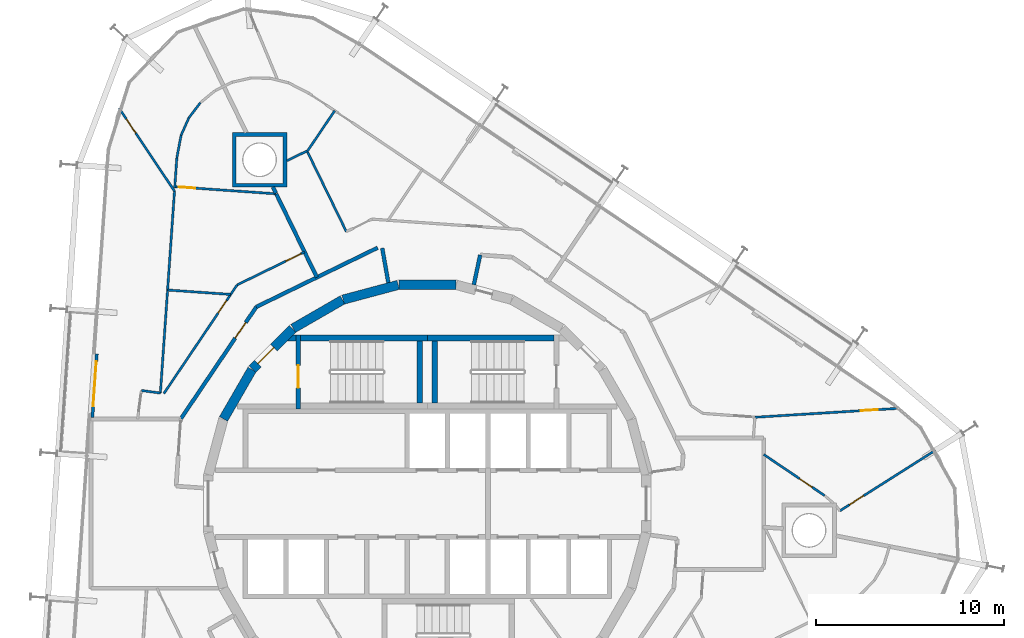
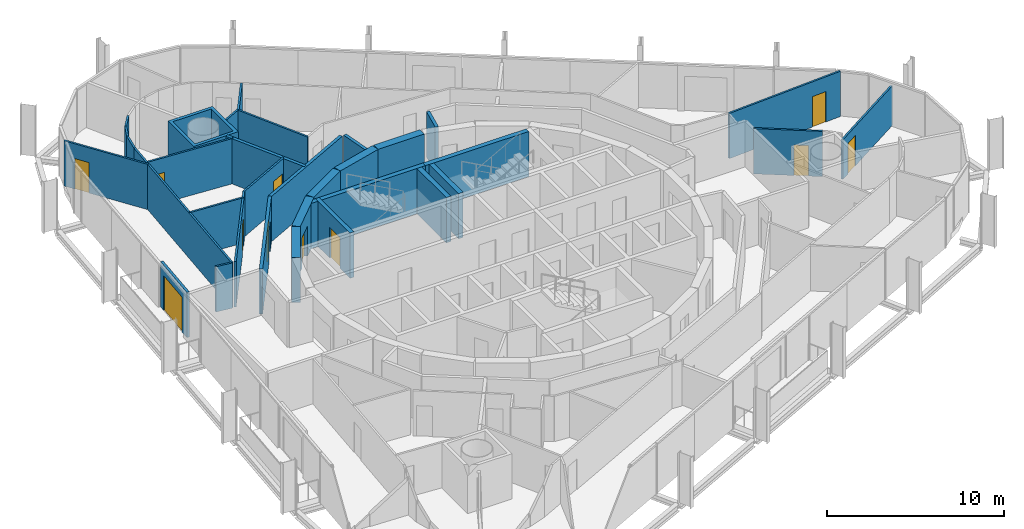
# One storey, part 15 of 18: 36 walls, 11 doors, 11 openings.
"""IFC4 building model written with IfcOpenShell, lengths in metres."""

from ifc_helpers import new_model, si_unit, direction, frame, frame_2d, origin, place, context, subcontext, project, spatial, polyline, rectangle, outline, extrude, material, layer, layer_set, type_object, element, fill, save


model = new_model("IFC4")

# Units and contexts
model_context = context("Model", 3, precision=1e-05, world=origin(), true_north=direction((0.0, 1.0)))
body_context = subcontext(model_context, "Body", "Model", "MODEL_VIEW")
ifc_project = project(units=[si_unit("LENGTHUNIT", "METRE"), si_unit("AREAUNIT", "SQUARE_METRE"), si_unit("VOLUMEUNIT", "CUBIC_METRE"), si_unit("PLANEANGLEUNIT", "RADIAN"), si_unit("MASSUNIT", "GRAM", prefix="KILO")], contexts=[model_context])

# Site, building, storey
site_placement = place(None, origin())
site = spatial("IfcSite", under=ifc_project, at=site_placement, CompositionType="ELEMENT")
building_placement = place(site_placement, origin())
building = spatial("IfcBuilding", under=site, at=building_placement, Name="Spindle Arch Residences", CompositionType="ELEMENT")
storey_placement = place(building_placement, frame((0.0, 0.0, 198.89990234375)))
storey = spatial("IfcBuildingStorey", under=building, at=storey_placement, Name="L50", CompositionType="ELEMENT", Elevation=198.89990234375)

# Walls
ifc_material_1 = material(Name="Concrete C50/60", Category="concrete")
ifc_layer_1 = layer(ifc_material_1, 0.5)
ifc_layer_set_1 = layer_set([ifc_layer_1], Name="Core outline wall 500")
wall_type_1 = type_object("IfcWallType", Name="Core outline wall 500", PredefinedType="SHEAR", material=ifc_layer_set_1)
for number, where, z_axis, x_axis, name in (
    (1, (1.516357421875, 11.647216796875, 0.0), (0.0, 0.0, 1.0), (-1.0, 0.0, 0.0), "Core outline wall 12"),
    (2, (-1.5498046875, 11.642822265625, 0.0), (0.0, 0.0, 1.0), (-0.965948410781, -0.258734743916, 0.0), "Core outline wall 13"),
    (3, (-4.510498046875, 10.84521484375, 0.0), (0.0, 0.0, 1.0), (-0.865975092491, -0.500087131594, 0.0), "Core outline wall 14"),
):
    element("IfcWall", number, at=place(storey_placement, frame(where, z_axis=z_axis, x_axis=x_axis)), inside=storey, type_object=wall_type_1, Name=name, PredefinedType="SHEAR", context=body_context, shape_type="SweptSolid", body=[
        extrude(rectangle(XDim=3.03271484375, YDim=0.5, at=frame_2d((1.516357421875, 0.0))), origin(), (0.0, 0.0, 1.0), 3.1201171875),
    ])

# Wall, opening, door
wall_1_placement = place(storey_placement, frame((-7.163818359375, 9.30810546875, 0.0), z_axis=(0.0, 0.0, 1.0), x_axis=(-0.707106781187, -0.707106781187, 0.0)))
wall_1 = element("IfcWall", 4, at=wall_1_placement, inside=storey, type_object=wall_type_1, Name="Core outline wall 15", PredefinedType="SHEAR", context=body_context, shape_type="SweptSolid", body=[
    extrude(rectangle(XDim=3.032470703125, YDim=0.5, at=frame_2d((1.51611328125, 0.0))), origin(), (0.0, 0.0, 1.0), 3.1201171875),
])
opening_1_placement = place(wall_1_placement, frame((1.416259765625, 0.0, 0.0)))
opening_1 = element("IfcOpeningElement", 5, at=opening_1_placement, cuts=wall_1, Name="Opening R5B1-AD02", PredefinedType="OPENING", context=body_context, shape_type="SweptSolid", body=[
    extrude(rectangle(XDim=1.199951171875, YDim=2.10009765625, at=frame_2d((0.60009765625, 1.050048828125))), frame((0.0, 0.260009765625, 0.0), z_axis=(0.0, -1.0, 0.0), x_axis=(1.0, 0.0, 0.0)), (0.0, 0.0, 1.0), 0.52001953125),
])
ifc_material_2 = material(Name="Steel, fire-resisting door", Category="steel")
door_type_1 = type_object("IfcDoorType", Name="Stair airlock door 1200x2100", OperationType="SINGLE_SWING_LEFT", PredefinedType="DOOR", material=ifc_material_2)
door_1_placement = place(opening_1_placement, origin())
door_1 = element("IfcDoor", 6, at=door_1_placement, inside=storey, type_object=door_type_1, Name="Stair airlock door R5B1-AD02", OperationType="SINGLE_SWING_RIGHT", OverallHeight=2.10009765625, OverallWidth=1.199951171875, PredefinedType="DOOR", context=body_context, shape_type="SweptSolid", body=[
    extrude(rectangle(XDim=1.199951171875, YDim=2.10009765625, at=frame_2d((0.60009765625, 1.050048828125))), frame((0.0, 0.02490234375, 0.0), z_axis=(0.0, -1.0, 0.0), x_axis=(1.0, 0.0, 0.0)), (0.0, 0.0, 1.0), 0.050048828125),
])
fill(opening_1, door_1)

# Walls
wall_2_placement = place(storey_placement, frame((-9.32861328125, 7.13671875, 0.0), z_axis=(0.0, 0.0, 1.0), x_axis=(-0.500087131594, -0.865975092491, 0.0)))
element("IfcWall", 7, at=wall_2_placement, inside=storey, type_object=wall_type_1, Name="Core outline wall 16", PredefinedType="SHEAR", context=body_context, shape_type="SweptSolid", body=[
    extrude(rectangle(XDim=3.03271484375, YDim=0.5, at=frame_2d((1.516357421875, 0.0))), origin(), (0.0, 0.0, 1.0), 3.1201171875),
])
ifc_material_3 = material(Name="Calcium silicate block, plastered")
ifc_layer_2 = layer(ifc_material_3, 0.199951171875)
ifc_layer_set_2 = layer_set([ifc_layer_2], Name="Corridor wall 200")
wall_type_2 = type_object("IfcWallType", Name="Corridor wall 200", PredefinedType="STANDARD", material=ifc_layer_set_2)
wall_3_placement = place(storey_placement, frame((2.8134765625, 13.236083984375, 0.0), z_axis=(0.0, 0.0, 1.0), x_axis=(-0.207911086063, -0.978147729278, 0.0)))
element("IfcWall", 8, at=wall_3_placement, inside=storey, type_object=wall_type_2, Name="Corridor wall R5B1-W007", PredefinedType="STANDARD", context=body_context, shape_type="SweptSolid", body=[
    extrude(rectangle(XDim=1.6181640625, YDim=0.199951171875, at=frame_2d((0.80908203125, 0.0))), origin(), (0.0, 0.0, 1.0), 3.1201171875),
])
wall_4_placement = place(storey_placement, frame((-2.07373046875, 11.76123046875, 0.0), z_axis=(0.0, 0.0, 1.0), x_axis=(-0.173740587112, 0.984791454263, 0.0)))
element("IfcWall", 9, at=wall_4_placement, inside=storey, type_object=wall_type_2, Name="Corridor wall R5B1-W010", PredefinedType="STANDARD", context=body_context, shape_type="SweptSolid", body=[
    extrude(rectangle(XDim=1.867431640625, YDim=0.199951171875, at=frame_2d((0.93359375, 0.0))), origin(), (0.0, 0.0, 1.0), 3.1201171875),
])
wall_5_placement = place(storey_placement, frame((-2.64697265625, 13.617919921875, 0.0), z_axis=(0.0, 0.0, 1.0), x_axis=(-0.898796543751, -0.438366026218, 0.0)))
element("IfcWall", 10, at=wall_5_placement, inside=storey, type_object=wall_type_2, Name="Corridor wall R5B1-W011", PredefinedType="STANDARD", context=body_context, shape_type="SweptSolid", body=[
    extrude(rectangle(XDim=7.18115234375, YDim=0.199951171875, at=frame_2d((3.590576171875, 0.0))), origin(), (0.0, 0.0, 1.0), 3.1201171875),
])

# Wall, opening, door
wall_6_placement = place(storey_placement, frame((-9.101318359375, 10.469970703125, 0.0), z_axis=(0.0, 0.0, 1.0), x_axis=(-0.559195469534, -0.829035841718, 0.0)))
wall_6 = element("IfcWall", 11, at=wall_6_placement, inside=storey, type_object=wall_type_2, Name="Corridor wall R5B1-W012", PredefinedType="STANDARD", context=body_context, shape_type="SweptSolid", body=[
    extrude(rectangle(XDim=7.18115234375, YDim=0.199951171875, at=frame_2d((3.590576171875, 0.0))), origin(), (0.0, 0.0, 1.0), 3.1201171875),
])
opening_2_placement = place(wall_6_placement, frame((1.0, 0.0, 0.0)))
opening_2 = element("IfcOpeningElement", 12, at=opening_2_placement, cuts=wall_6, Name="Opening R5B1-FD03", PredefinedType="OPENING", context=body_context, shape_type="SweptSolid", body=[
    extrude(rectangle(XDim=1.0, YDim=2.10009765625, at=frame_2d((0.5, 1.050048828125))), frame((0.0, 0.10986328125, 0.0), z_axis=(0.0, -1.0, 0.0), x_axis=(1.0, 0.0, 0.0)), (0.0, 0.0, 1.0), 0.219970703125),
])
ifc_material_4 = material(Name="Timber, fire-resisting door set", Category="wood")
door_type_2 = type_object("IfcDoorType", Name="Flat entrance door 1000x2100", OperationType="NOTDEFINED", PredefinedType="DOOR", material=ifc_material_4)
door_2_placement = place(opening_2_placement, origin())
door_2 = element("IfcDoor", 13, at=door_2_placement, inside=storey, type_object=door_type_2, Name="Flat entrance door R5B1-FD03", OperationType="SINGLE_SWING_LEFT", OverallHeight=2.10009765625, OverallWidth=1.0, PredefinedType="DOOR", context=body_context, shape_type="SweptSolid", body=[
    extrude(rectangle(XDim=1.0, YDim=2.10009765625, at=frame_2d((0.5, 1.050048828125))), frame((0.0, 0.02490234375, 0.0), z_axis=(0.0, -1.0, 0.0), x_axis=(1.0, 0.0, 0.0)), (0.0, 0.0, 1.0), 0.050048828125),
])
fill(opening_2, door_2)

ifc_material_5 = material(Name="Plasterboard on steel studs", Category="steel")
ifc_layer_3 = layer(ifc_material_5, 0.1201171875)
ifc_layer_set_3 = layer_set([ifc_layer_3], Name="Flat partition 120")
wall_type_3 = type_object("IfcWallType", Name="Flat partition 120", PredefinedType="PARTITIONING", material=ifc_layer_set_3)
wall_7_placement = place(storey_placement, frame((21.140625, 0.43310546875, 0.0), z_axis=(0.0, 0.0, 1.0), x_axis=(-0.829049908454, 0.559174614313, 0.0)))
wall_7 = element("IfcWall", 14, at=wall_7_placement, inside=storey, type_object=wall_type_3, Name="Flat partition R5B1-W044", PredefinedType="PARTITIONING", context=body_context, shape_type="SweptSolid", body=[
    extrude(rectangle(XDim=3.908935546875, YDim=0.1201171875, at=frame_2d((1.95458984375, 0.0))), origin(), (0.0, 0.0, 1.0), 3.1201171875),
])
opening_3_placement = place(wall_7_placement, frame((0.800048828125, 0.0, 0.0)))
opening_3 = element("IfcOpeningElement", 15, at=opening_3_placement, cuts=wall_7, Name="Opening R5B1-BD01", PredefinedType="OPENING", context=body_context, shape_type="SweptSolid", body=[
    extrude(rectangle(XDim=0.800048828125, YDim=2.10009765625, at=frame_2d((0.39990234375, 1.050048828125))), frame((0.0, 0.070068359375, 0.0), z_axis=(0.0, -1.0, 0.0), x_axis=(1.0, 0.0, 0.0)), (0.0, 0.0, 1.0), 0.14013671875),
])
ifc_material_6 = material(Name="Timber door set", Category="wood")
door_type_3 = type_object("IfcDoorType", Name="Bathroom door 800x2100", OperationType="NOTDEFINED", PredefinedType="DOOR", material=ifc_material_6)
door_3_placement = place(opening_3_placement, origin())
door_3 = element("IfcDoor", 16, at=door_3_placement, inside=storey, type_object=door_type_3, Name="Bathroom door R5B1-BD01", OperationType="SINGLE_SWING_RIGHT", OverallHeight=2.10009765625, OverallWidth=0.800048828125, PredefinedType="DOOR", context=body_context, shape_type="SweptSolid", body=[
    extrude(rectangle(XDim=0.800048828125, YDim=2.10009765625, at=frame_2d((0.39990234375, 1.050048828125))), frame((0.0, 0.02490234375, 0.0), z_axis=(0.0, -1.0, 0.0), x_axis=(1.0, 0.0, 0.0)), (0.0, 0.0, 1.0), 0.050048828125),
])
fill(opening_3, door_3)

wall_8_placement = place(storey_placement, frame((24.9560546875, 5.0654296875, 0.0), z_axis=(0.0, 0.0, 1.0), x_axis=(-0.998076202118, -0.061999151332, 0.0)))
wall_8 = element("IfcWall", 17, at=wall_8_placement, inside=storey, type_object=wall_type_3, Name="Flat partition R5B1-W045", PredefinedType="PARTITIONING", context=body_context, shape_type="SweptSolid", body=[
    extrude(rectangle(XDim=7.536865234375, YDim=0.1201171875, at=frame_2d((3.7685546875, 0.0))), origin(), (0.0, 0.0, 1.0), 3.1201171875),
])
opening_4_placement = place(wall_8_placement, frame((1.0, 0.0, 0.0)))
opening_4 = element("IfcOpeningElement", 18, at=opening_4_placement, cuts=wall_8, Name="Opening R5B1-ID03", PredefinedType="OPENING", context=body_context, shape_type="SweptSolid", body=[
    extrude(rectangle(XDim=0.89990234375, YDim=2.10009765625, at=frame_2d((0.449951171875, 1.050048828125))), frame((0.0, 0.070068359375, 0.0), z_axis=(0.0, -1.0, 0.0), x_axis=(1.0, 0.0, 0.0)), (0.0, 0.0, 1.0), 0.14013671875),
])
ifc_material_7 = material(Name="Timber door set", Category="wood")
door_type_4 = type_object("IfcDoorType", Name="Room door 900x2100", OperationType="NOTDEFINED", PredefinedType="DOOR", material=ifc_material_7)
door_4_placement = place(opening_4_placement, origin())
door_4 = element("IfcDoor", 19, at=door_4_placement, inside=storey, type_object=door_type_4, Name="Room door R5B1-ID03", OperationType="SINGLE_SWING_LEFT", OverallHeight=2.10009765625, OverallWidth=0.89990234375, PredefinedType="DOOR", context=body_context, shape_type="SweptSolid", body=[
    extrude(rectangle(XDim=0.89990234375, YDim=2.10009765625, at=frame_2d((0.449951171875, 1.050048828125))), frame((0.0, 0.02490234375, 0.0), z_axis=(0.0, -1.0, 0.0), x_axis=(1.0, 0.0, 0.0)), (0.0, 0.0, 1.0), 0.050048828125),
])
fill(opening_4, door_4)

# Walls
wall_9_placement = place(storey_placement, frame((-4.307861328125, 14.476806640625, 0.0), z_axis=(0.0, 0.0, 1.0), x_axis=(-0.43837096777, 0.898794133613, 0.0)))
element("IfcWall", 20, at=wall_9_placement, inside=storey, type_object=wall_type_3, Name="Flat partition R5B1-W051", PredefinedType="PARTITIONING", context=body_context, shape_type="SweptSolid", body=[
    extrude(rectangle(XDim=4.74951171875, YDim=0.1201171875, at=frame_2d((2.374755859375, 0.0))), origin(), (0.0, 0.0, 1.0), 3.1201171875),
])
wall_10_placement = place(storey_placement, frame((-6.402099609375, 18.770751953125, 0.0), z_axis=(0.0, 0.0, 1.0), x_axis=(-0.898797905192, -0.438363234797, 0.0)))
element("IfcWall", 21, at=wall_10_placement, inside=storey, type_object=wall_type_3, Name="Flat partition R5B1-W052", PredefinedType="PARTITIONING", context=body_context, shape_type="SweptSolid", body=[
    extrude(rectangle(XDim=1.194580078125, YDim=0.1201171875, at=frame_2d((0.59716796875, 0.0))), origin(), (0.0, 0.0, 1.0), 3.1201171875),
])
wall_11_placement = place(storey_placement, frame((-4.9287109375, 20.912109375, 0.0), z_axis=(0.0, 0.0, 1.0), x_axis=(-0.559155109057, -0.829063063955, 0.0)))
element("IfcWall", 22, at=wall_11_placement, inside=storey, type_object=wall_type_3, Name="Flat partition R5B1-W059", PredefinedType="PARTITIONING", context=body_context, shape_type="SweptSolid", body=[
    extrude(rectangle(XDim=2.61328125, YDim=0.1201171875, at=frame_2d((1.306640625, 0.0))), origin(), (0.0, 0.0, 1.0), 3.1201171875),
])

# Wall, opening, door
wall_12_placement = place(storey_placement, frame((-6.53173828125, 13.39208984375, 0.0), z_axis=(0.0, 0.0, 1.0), x_axis=(-0.898786663593, -0.438386283256, 0.0)))
wall_12 = element("IfcWall", 23, at=wall_12_placement, inside=storey, type_object=wall_type_3, Name="Flat partition R5B1-W063", PredefinedType="PARTITIONING", context=body_context, shape_type="SweptSolid", body=[
    extrude(rectangle(XDim=3.992431640625, YDim=0.1201171875, at=frame_2d((1.99609375, 0.0))), origin(), (0.0, 0.0, 1.0), 3.1201171875),
])
opening_5_placement = place(wall_12_placement, frame((0.199951171875, 0.0, 0.0)))
opening_5 = element("IfcOpeningElement", 24, at=opening_5_placement, cuts=wall_12, Name="Opening R5B1-ID10", PredefinedType="OPENING", context=body_context, shape_type="SweptSolid", body=[
    extrude(rectangle(XDim=0.89990234375, YDim=2.10009765625, at=frame_2d((0.449951171875, 1.050048828125))), frame((0.0, 0.070068359375, 0.0), z_axis=(0.0, -1.0, 0.0), x_axis=(1.0, 0.0, 0.0)), (0.0, 0.0, 1.0), 0.14013671875),
])
door_5_placement = place(opening_5_placement, origin())
door_5 = element("IfcDoor", 25, at=door_5_placement, inside=storey, type_object=door_type_4, Name="Room door R5B1-ID10", OperationType="SINGLE_SWING_LEFT", OverallHeight=2.10009765625, OverallWidth=0.89990234375, PredefinedType="DOOR", context=body_context, shape_type="SweptSolid", body=[
    extrude(rectangle(XDim=0.89990234375, YDim=2.10009765625, at=frame_2d((0.449951171875, 1.050048828125))), frame((0.0, 0.02490234375, 0.0), z_axis=(0.0, -1.0, 0.0), x_axis=(1.0, 0.0, 0.0)), (0.0, 0.0, 1.0), 0.050048828125),
])
fill(opening_5, door_5)

wall_13_placement = place(storey_placement, frame((-10.1201171875, 11.641845703125, 0.0), z_axis=(0.0, 0.0, 1.0), x_axis=(-0.559200431187, -0.829032494996, 0.0)))
wall_13 = element("IfcWall", 26, at=wall_13_placement, inside=storey, type_object=wall_type_3, Name="Flat partition R5B1-W064", PredefinedType="PARTITIONING", context=body_context, shape_type="SweptSolid", body=[
    extrude(rectangle(XDim=6.97314453125, YDim=0.1201171875, at=frame_2d((3.486572265625, 0.0))), origin(), (0.0, 0.0, 1.0), 3.1201171875),
])
opening_6_placement = place(wall_13_placement, frame((1.01123046875, 0.0, 0.0)))
opening_6 = element("IfcOpeningElement", 27, at=opening_6_placement, cuts=wall_13, Name="Opening R5B1-BD03", PredefinedType="OPENING", context=body_context, shape_type="SweptSolid", body=[
    extrude(rectangle(XDim=0.800048828125, YDim=2.10009765625, at=frame_2d((0.39990234375, 1.050048828125))), frame((0.0, 0.070068359375, 0.0), z_axis=(0.0, -1.0, 0.0), x_axis=(1.0, 0.0, 0.0)), (0.0, 0.0, 1.0), 0.14013671875),
])
door_6_placement = place(opening_6_placement, origin())
door_6 = element("IfcDoor", 28, at=door_6_placement, inside=storey, type_object=door_type_3, Name="Bathroom door R5B1-BD03", OperationType="SINGLE_SWING_LEFT", OverallHeight=2.10009765625, OverallWidth=0.800048828125, PredefinedType="DOOR", context=body_context, shape_type="SweptSolid", body=[
    extrude(rectangle(XDim=0.800048828125, YDim=2.10009765625, at=frame_2d((0.39990234375, 1.050048828125))), frame((0.0, 0.02490234375, 0.0), z_axis=(0.0, -1.0, 0.0), x_axis=(1.0, 0.0, 0.0)), (0.0, 0.0, 1.0), 0.050048828125),
])
fill(opening_6, door_6)

# Walls
wall_14_placement = place(storey_placement, frame((-14.204833984375, 5.885986328125, 0.0), z_axis=(0.0, 0.0, 1.0), x_axis=(-0.990931001278, 0.13437168863, 0.0)))
element("IfcWall", 29, at=wall_14_placement, inside=storey, type_object=wall_type_3, Name="Flat partition R5B1-W065", PredefinedType="PARTITIONING", context=body_context, shape_type="SweptSolid", body=[
    extrude(rectangle(XDim=1.013916015625, YDim=0.1201171875, at=frame_2d((0.5068359375, 0.0))), origin(), (0.0, 0.0, 1.0), 3.1201171875),
])
for number, where, z_axis, x_axis, name in (
    (30, (-12.073486328125, 21.34033203125, 0.0), (0.0, 0.0, 1.0), (-0.606325560855, -0.79521652036, 0.0), "Flat partition R5B1-W068"),
    (31, (-12.689453125, 20.532470703125, 0.0), (0.0, 0.0, 1.0), (-0.406874181998, -0.913484208962, 0.0), "Flat partition R5B1-W069"),
):
    element("IfcWall", number, at=place(storey_placement, frame(where, z_axis=z_axis, x_axis=x_axis)), inside=storey, type_object=wall_type_3, Name=name, PredefinedType="PARTITIONING", context=body_context, shape_type="SweptSolid", body=[
        extrude(rectangle(XDim=1.015869140625, YDim=0.1201171875, at=frame_2d((0.5078125, 0.0))), origin(), (0.0, 0.0, 1.0), 3.1201171875),
    ])
wall_15_placement = place(storey_placement, frame((-13.102783203125, 19.6044921875, 0.0), z_axis=(0.0, 0.0, 1.0), x_axis=(-0.185045330455, -0.982729986149, 0.0)))
element("IfcWall", 32, at=wall_15_placement, inside=storey, type_object=wall_type_3, Name="Flat partition R5B1-W070", PredefinedType="PARTITIONING", context=body_context, shape_type="SweptSolid", body=[
    extrude(rectangle(XDim=1.22705078125, YDim=0.1201171875, at=frame_2d((0.613525390625, 0.0))), origin(), (0.0, 0.0, 1.0), 3.1201171875),
])
wall_16_placement = place(storey_placement, frame((-13.329833984375, 18.398681640625, 0.0), z_axis=(0.0, 0.0, 1.0), x_axis=(-0.069695040349, -0.9975683442, 0.0)))
element("IfcWall", 33, at=wall_16_placement, inside=storey, type_object=wall_type_3, Name="Flat partition R5B1-W071", PredefinedType="PARTITIONING", context=body_context, shape_type="SweptSolid", body=[
    extrude(rectangle(XDim=1.576416015625, YDim=0.1201171875, at=frame_2d((0.7880859375, 0.0))), origin(), (0.0, 0.0, 1.0), 3.1201171875),
])

# Wall, opening, door
wall_17_placement = place(storey_placement, frame((-13.43701171875, 16.8662109375, 0.0), z_axis=(0.0, 0.0, 1.0), x_axis=(0.997564592961, -0.06974871232, 0.0)))
wall_17 = element("IfcWall", 34, at=wall_17_placement, inside=storey, type_object=wall_type_3, Name="Flat partition R5B1-W072", PredefinedType="PARTITIONING", context=body_context, shape_type="SweptSolid", body=[
    extrude(rectangle(XDim=5.407958984375, YDim=0.1201171875, at=frame_2d((2.7041015625, 0.0))), origin(), (0.0, 0.0, 1.0), 3.1201171875),
])
opening_7_placement = place(wall_17_placement, frame((0.199951171875, 0.0, 0.0)))
opening_7 = element("IfcOpeningElement", 35, at=opening_7_placement, cuts=wall_17, Name="Opening R5B1-ID12", PredefinedType="OPENING", context=body_context, shape_type="SweptSolid", body=[
    extrude(rectangle(XDim=0.89990234375, YDim=2.10009765625, at=frame_2d((0.449951171875, 1.050048828125))), frame((0.0, 0.070068359375, 0.0), z_axis=(0.0, -1.0, 0.0), x_axis=(1.0, 0.0, 0.0)), (0.0, 0.0, 1.0), 0.14013671875),
])
door_7_placement = place(opening_7_placement, origin())
door_7 = element("IfcDoor", 36, at=door_7_placement, inside=storey, type_object=door_type_4, Name="Room door R5B1-ID12", OperationType="SINGLE_SWING_LEFT", OverallHeight=2.10009765625, OverallWidth=0.89990234375, PredefinedType="DOOR", context=body_context, shape_type="SweptSolid", body=[
    extrude(rectangle(XDim=0.89990234375, YDim=2.10009765625, at=frame_2d((0.449951171875, 1.050048828125))), frame((0.0, 0.02490234375, 0.0), z_axis=(0.0, -1.0, 0.0), x_axis=(1.0, 0.0, 0.0)), (0.0, 0.0, 1.0), 0.050048828125),
])
fill(opening_7, door_7)

wall_18_placement = place(storey_placement, frame((-16.401611328125, 21.046142578125, 0.0), z_axis=(0.0, 0.0, 1.0), x_axis=(0.555442981062, -0.831554625259, 0.0)))
wall_18 = element("IfcWall", 37, at=wall_18_placement, inside=storey, type_object=wall_type_3, Name="Flat partition R5B1-W073", PredefinedType="PARTITIONING", context=body_context, shape_type="SweptSolid", body=[
    extrude(rectangle(XDim=5.307861328125, YDim=0.1201171875, at=frame_2d((2.65380859375, 0.0))), origin(), (0.0, 0.0, 1.0), 3.1201171875),
])
opening_8_placement = place(wall_18_placement, frame((0.699951171875, 0.0, 0.0)))
opening_8 = element("IfcOpeningElement", 38, at=opening_8_placement, cuts=wall_18, Name="Opening R5B1-ID13", PredefinedType="OPENING", context=body_context, shape_type="SweptSolid", body=[
    extrude(rectangle(XDim=0.89990234375, YDim=2.10009765625, at=frame_2d((0.449951171875, 1.050048828125))), frame((0.0, 0.070068359375, 0.0), z_axis=(0.0, -1.0, 0.0), x_axis=(1.0, 0.0, 0.0)), (0.0, 0.0, 1.0), 0.14013671875),
])
door_8_placement = place(opening_8_placement, origin())
door_8 = element("IfcDoor", 39, at=door_8_placement, inside=storey, type_object=door_type_4, Name="Room door R5B1-ID13", OperationType="SINGLE_SWING_LEFT", OverallHeight=2.10009765625, OverallWidth=0.89990234375, PredefinedType="DOOR", context=body_context, shape_type="SweptSolid", body=[
    extrude(rectangle(XDim=0.89990234375, YDim=2.10009765625, at=frame_2d((0.449951171875, 1.050048828125))), frame((0.0, 0.02490234375, 0.0), z_axis=(0.0, -1.0, 0.0), x_axis=(1.0, 0.0, 0.0)), (0.0, 0.0, 1.0), 0.050048828125),
])
fill(opening_8, door_8)

# Walls
wall_19_placement = place(storey_placement, frame((-13.453369140625, 16.63232421875, 0.0), z_axis=(0.0, 0.0, 1.0), x_axis=(-0.069757184581, -0.997564000553, 0.0)))
element("IfcWall", 40, at=wall_19_placement, inside=storey, type_object=wall_type_3, Name="Flat partition R5B1-W074", PredefinedType="PARTITIONING", context=body_context, shape_type="SweptSolid", body=[
    extrude(rectangle(XDim=10.7724609375, YDim=0.1201171875, at=frame_2d((5.38623046875, 0.0))), origin(), (0.0, 0.0, 1.0), 3.1201171875),
])
wall_20_placement = place(storey_placement, frame((-13.8212890625, 11.3701171875, 0.0), z_axis=(0.0, 0.0, 1.0), x_axis=(0.997559977048, -0.069814698975, 0.0)))
element("IfcWall", 41, at=wall_20_placement, inside=storey, type_object=wall_type_3, Name="Flat partition R5B1-W075", PredefinedType="PARTITIONING", context=body_context, shape_type="SweptSolid", body=[
    extrude(rectangle(XDim=3.36767578125, YDim=0.1201171875, at=frame_2d((1.683837890625, 0.0))), origin(), (0.0, 0.0, 1.0), 3.1201171875),
])

# Wall, opening, door
ifc_material_8 = material(Name="Plasterboard on steel studs", Category="steel")
ifc_layer_4 = layer(ifc_material_8, 0.1201171875)
ifc_layer_set_4 = layer_set([ifc_layer_4], Name="Flat partition 120 under beam 2730")
wall_type_4 = type_object("IfcWallType", Name="Flat partition 120 under beam 2730", PredefinedType="PARTITIONING", material=ifc_layer_set_4)
wall_21_placement = place(storey_placement, frame((21.9501953125, -0.3818359375, 0.0), z_axis=(0.0, 0.0, 1.0), x_axis=(0.844596663126, 0.535403097336, 0.0)))
wall_21 = element("IfcWall", 42, at=wall_21_placement, inside=storey, type_object=wall_type_4, Name="Flat partition R5B1-W047", PredefinedType="PARTITIONING", context=body_context, shape_type="SweptSolid", body=[
    extrude(rectangle(XDim=6.022216796875, YDim=0.1201171875, at=frame_2d((3.01123046875, 0.0))), origin(), (0.0, 0.0, 1.0), 2.72998046875),
])
opening_9_placement = place(wall_21_placement, frame((0.60009765625, 0.0, 0.0)))
opening_9 = element("IfcOpeningElement", 43, at=opening_9_placement, cuts=wall_21, Name="Opening R5B1-ID04", PredefinedType="OPENING", context=body_context, shape_type="SweptSolid", body=[
    extrude(rectangle(XDim=0.89990234375, YDim=2.10009765625, at=frame_2d((0.449951171875, 1.050048828125))), frame((0.0, 0.070068359375, 0.0), z_axis=(0.0, -1.0, 0.0), x_axis=(1.0, 0.0, 0.0)), (0.0, 0.0, 1.0), 0.14013671875),
])
door_9_placement = place(opening_9_placement, origin())
door_9 = element("IfcDoor", 44, at=door_9_placement, inside=storey, type_object=door_type_4, Name="Room door R5B1-ID04", OperationType="SINGLE_SWING_LEFT", OverallHeight=2.10009765625, OverallWidth=0.89990234375, PredefinedType="DOOR", context=body_context, shape_type="SweptSolid", body=[
    extrude(rectangle(XDim=0.89990234375, YDim=2.10009765625, at=frame_2d((0.449951171875, 1.050048828125))), frame((0.0, 0.02490234375, 0.0), z_axis=(0.0, -1.0, 0.0), x_axis=(1.0, 0.0, 0.0)), (0.0, 0.0, 1.0), 0.050048828125),
])
fill(opening_9, door_9)

# Walls
ifc_material_9 = material(Name="Calcium silicate block, plastered")
ifc_layer_5 = layer(ifc_material_9, 0.199951171875)
ifc_layer_set_5 = layer_set([ifc_layer_5], Name="Flat party wall 200")
wall_type_5 = type_object("IfcWallType", Name="Flat party wall 200", PredefinedType="STANDARD", material=ifc_layer_set_5)
wall_22_placement = place(storey_placement, frame((-8.042236328125, 16.489013671875, 0.0), z_axis=(0.0, 0.0, 1.0), x_axis=(0.438345825707, -0.898806395774, 0.0)))
element("IfcWall", 45, at=wall_22_placement, inside=storey, type_object=wall_type_5, Name="Flat party wall R5B1-W031", PredefinedType="STANDARD", context=body_context, shape_type="SweptSolid", body=[
    extrude(rectangle(XDim=4.94580078125, YDim=0.199951171875, at=frame_2d((2.472900390625, 0.0))), origin(), (0.0, 0.0, 1.0), 3.1201171875),
])
wall_23_placement = place(storey_placement, frame((-8.21875, 16.850830078125, 0.0), z_axis=(0.0, 0.0, 1.0), x_axis=(0.438281645094, -0.898837693676, 0.0)))
element("IfcWall", 46, at=wall_23_placement, inside=storey, type_object=wall_type_5, Name="Flat party wall R5B1-W032", PredefinedType="STANDARD", context=body_context, shape_type="SweptSolid", body=[
    extrude(rectangle(XDim=0.37255859375, YDim=0.199951171875, at=frame_2d((0.186279296875, 0.0))), origin(), (0.0, 0.0, 1.0), 3.1201171875),
])

# Wall, opening, door
ifc_material_10 = material(Name="Non-combustible mineral wool insulated aluminium faced external wall (K0)", Category="aluminium")
ifc_layer_6 = layer(ifc_material_10, 0.159912109375)
ifc_layer_set_6 = layer_set([ifc_layer_6], Name="Insulated external wall panel 160")
wall_type_6 = type_object("IfcWallType", Name="Insulated external wall panel 160", PredefinedType="STANDARD", material=ifc_layer_set_6)
wall_24_placement = place(storey_placement, frame((-17.587158203125, 7.975341796875, 0.0), z_axis=(0.0, 0.0, 1.0), x_axis=(-0.069813354682, -0.997560071128, 0.0)))
wall_24 = element("IfcWall", 47, at=wall_24_placement, inside=storey, type_object=wall_type_6, Name="External wall L50 bay 14", PredefinedType="STANDARD", context=body_context, shape_type="SweptSolid", body=[
    extrude(rectangle(XDim=3.388671875, YDim=0.159912109375, at=frame_2d((1.6943359375, 0.0))), origin(), (0.0, 0.0, 1.0), 3.1201171875),
])
opening_10_placement = place(wall_24_placement, frame((0.39990234375, 0.0, 0.0)))
opening_10 = element("IfcOpeningElement", 48, at=opening_10_placement, cuts=wall_24, Name="Opening BD14", PredefinedType="OPENING", context=body_context, shape_type="SweptSolid", body=[
    extrude(rectangle(XDim=2.39990234375, YDim=2.39990234375, at=frame_2d((1.199951171875, 1.199951171875))), frame((0.0, 0.08984375, 0.0), z_axis=(0.0, -1.0, 0.0), x_axis=(1.0, 0.0, 0.0)), (0.0, 0.0, 1.0), 0.179931640625),
])
ifc_material_11 = material(Name="Bronze aluminium frame, tinted double glazing", Category="aluminium")
door_type_5 = type_object("IfcDoorType", Name="Sliding glazed balcony door 2400x2400", OperationType="DOUBLE_DOOR_SLIDING", PredefinedType="DOOR", material=ifc_material_11)
door_10_placement = place(opening_10_placement, origin())
door_10 = element("IfcDoor", 49, at=door_10_placement, inside=storey, type_object=door_type_5, Name="Balcony door BD14", OperationType="DOUBLE_DOOR_SLIDING", OverallHeight=2.39990234375, OverallWidth=2.39990234375, PredefinedType="DOOR", context=body_context, shape_type="SweptSolid", body=[
    extrude(rectangle(XDim=2.39990234375, YDim=2.39990234375, at=frame_2d((1.199951171875, 1.199951171875))), frame((0.0, 0.02490234375, 0.0), z_axis=(0.0, -1.0, 0.0), x_axis=(1.0, 0.0, 0.0)), (0.0, 0.0, 1.0), 0.050048828125),
])
fill(opening_10, door_10)

# Walls
ifc_material_12 = material(Name="Calcium silicate block, plastered")
ifc_layer_7 = layer(ifc_material_12, 0.199951171875)
ifc_layer_set_7 = layer_set([ifc_layer_7], Name="Mega-column casing wall 200")
wall_type_7 = type_object("IfcWallType", Name="Mega-column casing wall 200", PredefinedType="STANDARD", material=ifc_layer_set_7)
wall_25_placement = place(storey_placement, origin())
element("IfcWall", 50, at=wall_25_placement, inside=storey, type_object=wall_type_7, Name="Mega-column casing wall R5B1-WC01", PredefinedType="STANDARD", context=body_context, shape_type="SweptSolid", body=[
    extrude(outline(polyline([(-7.475830078125, 19.750732421875), (-7.475830078125, 16.850830078125), (-10.3759765625, 16.850830078125), (-10.3759765625, 19.750732421875), (-7.475830078125, 19.750732421875)]), holes=[polyline([(-10.17578125, 17.05078125), (-7.67578125, 17.05078125), (-7.67578125, 19.55078125), (-10.17578125, 19.55078125), (-10.17578125, 17.05078125)])]), origin(), (0.0, 0.0, 1.0), 3.1201171875),
])
ifc_material_13 = material(Name="Concrete C40/50", Category="concrete")
wall_type_8 = type_object("IfcWallType", Name="Stair airlock wall profile", PredefinedType="SHEAR", material=ifc_material_13)
wall_26_placement = place(storey_placement, origin())
element("IfcWall", 51, at=wall_26_placement, inside=storey, type_object=wall_type_8, Name="Stair ST-2 airlock wall N", PredefinedType="SHEAR", context=body_context, shape_type="SweptSolid", body=[
    extrude(outline(polyline([(-7.148193359375, 8.969970703125), (-7.0, 8.969970703125), (-7.0, 8.669921875), (-7.4482421875, 8.669921875), (-7.148193359375, 8.969970703125)])), origin(), (0.0, 0.0, 1.0), 3.1201171875),
])

# Wall, opening, door
ifc_material_14 = material(Name="Concrete C50/60", Category="concrete")
ifc_layer_8 = layer(ifc_material_14, 0.25)
ifc_layer_set_8 = layer_set([ifc_layer_8], Name="Stair enclosure wall 250")
wall_type_9 = type_object("IfcWallType", Name="Stair enclosure wall 250", PredefinedType="SHEAR", material=ifc_layer_set_8)
wall_27_placement = place(storey_placement, frame((-6.875, 8.969970703125, 0.0), z_axis=(0.0, 0.0, 1.0), x_axis=(0.0, -1.0, 0.0)))
wall_27 = element("IfcWall", 52, at=wall_27_placement, inside=storey, type_object=wall_type_9, Name="Stair ST-2 door wall", PredefinedType="SHEAR", context=body_context, shape_type="SweptSolid", body=[
    extrude(rectangle(XDim=3.919921875, YDim=0.25, at=frame_2d((1.9599609375, 0.0))), origin(), (0.0, 0.0, 1.0), 3.1201171875),
])
opening_11_placement = place(wall_27_placement, frame((1.610107421875, 0.0, 0.0)))
opening_11 = element("IfcOpeningElement", 53, at=opening_11_placement, cuts=wall_27, Name="Opening R5B1-SD02", PredefinedType="OPENING", context=body_context, shape_type="SweptSolid", body=[
    extrude(rectangle(XDim=1.199951171875, YDim=2.10009765625, at=frame_2d((0.60009765625, 1.050048828125))), frame((0.0, 0.135009765625, 0.0), z_axis=(0.0, -1.0, 0.0), x_axis=(1.0, 0.0, 0.0)), (0.0, 0.0, 1.0), 0.27001953125),
])
ifc_material_15 = material(Name="Steel, fire-resisting door", Category="steel")
door_type_6 = type_object("IfcDoorType", Name="Stair door 1200x2100", OperationType="SINGLE_SWING_RIGHT", PredefinedType="DOOR", material=ifc_material_15)
door_11_placement = place(opening_11_placement, origin())
door_11 = element("IfcDoor", 54, at=door_11_placement, inside=storey, type_object=door_type_6, Name="Stair door R5B1-SD02", OperationType="SINGLE_SWING_LEFT", OverallHeight=2.10009765625, OverallWidth=1.199951171875, PredefinedType="DOOR", context=body_context, shape_type="SweptSolid", body=[
    extrude(rectangle(XDim=1.199951171875, YDim=2.10009765625, at=frame_2d((0.60009765625, 1.050048828125))), frame((0.0, 0.02490234375, 0.0), z_axis=(0.0, -1.0, 0.0), x_axis=(1.0, 0.0, 0.0)), (0.0, 0.0, 1.0), 0.050048828125),
])
fill(opening_11, door_11)

# Walls
ifc_material_16 = material(Name="Concrete C50/60", Category="concrete")
ifc_layer_9 = layer(ifc_material_16, 0.300048828125)
ifc_layer_set_9 = layer_set([ifc_layer_9], Name="Stair enclosure wall 300")
wall_type_10 = type_object("IfcWallType", Name="Stair enclosure wall 300", PredefinedType="SHEAR", material=ifc_layer_set_9)
wall_28_placement = place(storey_placement, frame((0.0, 8.820068359375, 0.0), z_axis=(0.0, 0.0, 1.0), x_axis=(1.0, 0.0, 0.0)))
element("IfcWall", 55, at=wall_28_placement, inside=storey, type_object=wall_type_10, Name="Stair ST-1 enclosure wall N", PredefinedType="SHEAR", context=body_context, shape_type="SweptSolid", body=[
    extrude(rectangle(XDim=6.75, YDim=0.300048828125, at=frame_2d((3.375, 0.0))), origin(), (0.0, 0.0, 1.0), 3.1201171875),
])
wall_29_placement = place(storey_placement, frame((0.39990234375, 5.35009765625, 0.0), z_axis=(0.0, 0.0, 1.0), x_axis=(0.0, 1.0, 0.0)))
element("IfcWall", 56, at=wall_29_placement, inside=storey, type_object=wall_type_10, Name="Stair ST-1 enclosure wall F", PredefinedType="SHEAR", context=body_context, shape_type="SweptSolid", body=[
    extrude(rectangle(XDim=3.31982421875, YDim=0.300048828125, at=frame_2d((1.659912109375, 0.0))), origin(), (0.0, 0.0, 1.0), 3.1201171875),
])
wall_30_placement = place(storey_placement, frame((-6.75, 8.820068359375, 0.0), z_axis=(0.0, 0.0, 1.0), x_axis=(1.0, 0.0, 0.0)))
element("IfcWall", 57, at=wall_30_placement, inside=storey, type_object=wall_type_10, Name="Stair ST-2 enclosure wall N", PredefinedType="SHEAR", context=body_context, shape_type="SweptSolid", body=[
    extrude(rectangle(XDim=6.75, YDim=0.300048828125, at=frame_2d((3.375, 0.0))), origin(), (0.0, 0.0, 1.0), 3.1201171875),
])
wall_31_placement = place(storey_placement, frame((-0.39990234375, 5.35009765625, 0.0), z_axis=(0.0, 0.0, 1.0), x_axis=(0.0, 1.0, 0.0)))
element("IfcWall", 58, at=wall_31_placement, inside=storey, type_object=wall_type_10, Name="Stair ST-2 enclosure wall F", PredefinedType="SHEAR", context=body_context, shape_type="SweptSolid", body=[
    extrude(rectangle(XDim=3.31982421875, YDim=0.300048828125, at=frame_2d((1.659912109375, 0.0))), origin(), (0.0, 0.0, 1.0), 3.1201171875),
])

save(model, "model.ifc")
